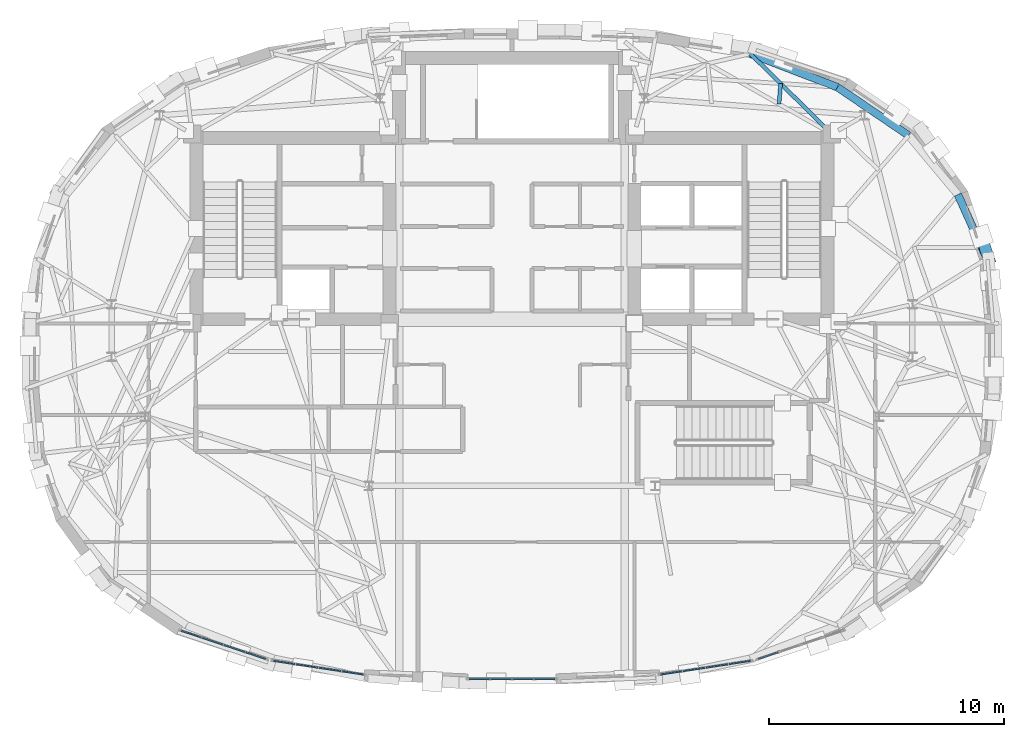
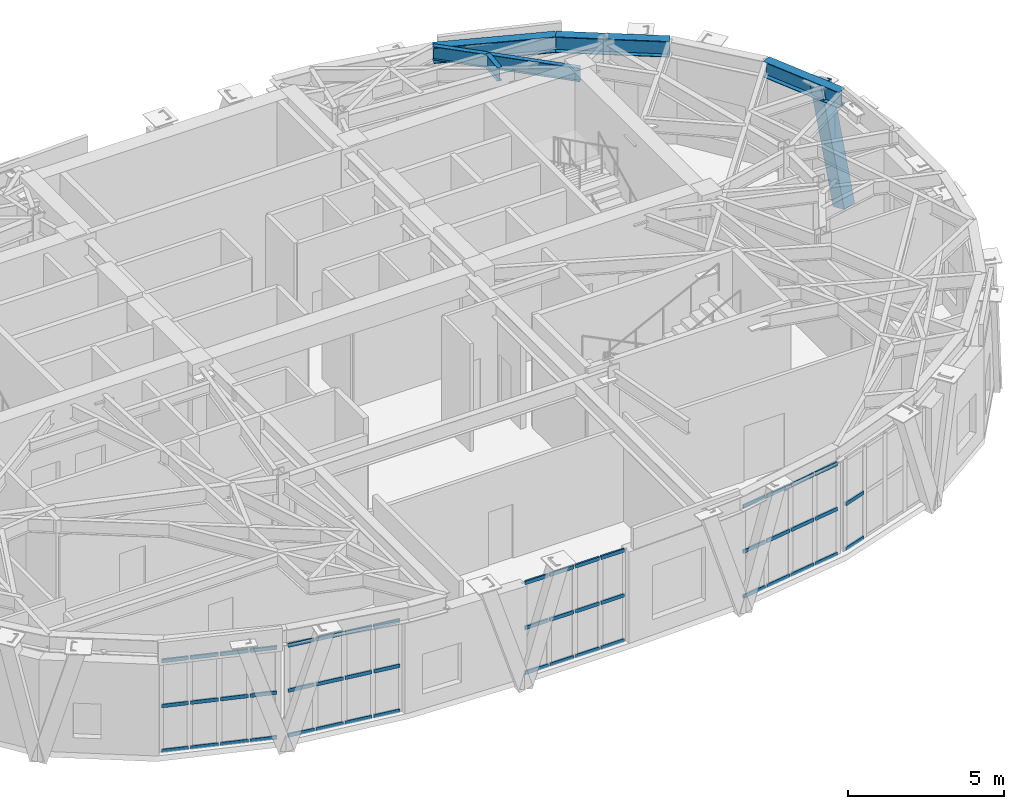
# One storey, part 7 of 16: 51 members, 5 beams, 5 elements without a shape of their own.
"""IFC4 building model written with IfcOpenShell, lengths in metres."""

from ifc_helpers import new_model, si_unit, direction, frame, origin, origin_2d, place, context, subcontext, project, spatial, rectangle, hollow_rectangle, i_section, extrude, material, layer, layer_set, material_profile, profile_set, type_object, element, aggregate, save


model = new_model("IFC4")

# Units and contexts
model_context = context("Model", 3, precision=1e-05, world=origin(), true_north=direction((0.0, 1.0)))
body_context = subcontext(model_context, "Body", "Model", "MODEL_VIEW")
ifc_project = project(units=[si_unit("LENGTHUNIT", "METRE"), si_unit("AREAUNIT", "SQUARE_METRE"), si_unit("VOLUMEUNIT", "CUBIC_METRE"), si_unit("PLANEANGLEUNIT", "RADIAN"), si_unit("MASSUNIT", "GRAM", prefix="KILO")], contexts=[model_context])

# Site, building, storey
site_placement = place(None, origin())
site = spatial("IfcSite", under=ifc_project, at=site_placement, CompositionType="ELEMENT")
building_placement = place(site_placement, origin())
building = spatial("IfcBuilding", under=site, at=building_placement, Name="Keldmark Tower", CompositionType="ELEMENT")
storey_placement = place(building_placement, frame((0.0, 0.0, 264.800048828125)))
storey = spatial("IfcBuildingStorey", under=building, at=storey_placement, Name="L75", CompositionType="ELEMENT", Elevation=264.800048828125)

# Curtain wall, members
ifc_material_1 = material(Name="Unitized Thermally Broken Aluminum and Triple Low-E Glazing", Category="aluminium")
ifc_layer = layer(ifc_material_1, 0.219970703125)
ifc_layer_set = layer_set([ifc_layer], Name="Unitized Thermally Broken Aluminum and Triple Low-E Glazing")
curtain_wall_type = type_object("IfcCurtainWallType", Name="Public Observation Lookout Curtain Wall System", PredefinedType="NOTDEFINED", material=ifc_layer_set)
curtain_wall_1_placement = place(storey_placement, origin())
curtain_wall_1 = element("IfcCurtainWall", 1, at=curtain_wall_1_placement, inside=storey, type_object=curtain_wall_type, Name="L75 Public Observation Lookout Curtain Wall System CW-L75-21", PredefinedType="NOTDEFINED")
ifc_material_2 = material(Name="Extruded Aluminum Alloy 6063-T6", Category="aluminium")
ifc_material_profile_1 = material_profile(ifc_material_2, rectangle(XDim=0.06005859375, YDim=0.139892578125, at=origin_2d()), Name="CWT60X140")
ifc_profile_set_1 = profile_set([ifc_material_profile_1], Name="Extruded Aluminum Alloy 6063-T6")
member_type_1 = type_object("IfcMemberType", Name="Curtain Wall Horizontal Transom 60x140", PredefinedType="USERDEFINED", material=ifc_profile_set_1)
member_1_placement = place(storey_placement, frame((-10.481201171875, -12.869384765625, 0.030029296875), z_axis=(-0.948461461966, 0.316892497806, 0.0), x_axis=(-0.316892497806, -0.948461461966, 0.0)))
member_1 = element("IfcMember", 2, at=member_1_placement, type_object=member_type_1, Name="CW transom 1.1", ObjectType="TRANSOM", PredefinedType="USERDEFINED", context=body_context, shape_type="SweptSolid", body=[
    extrude(rectangle(XDim=0.06005859375, YDim=0.139892578125, at=origin_2d()), origin(), (0.0, 0.0, 1.0), 0.88134765625),
])
member_2_placement = place(storey_placement, frame((-10.481201171875, -12.869384765625, 1.782958984375), z_axis=(-0.948461461966, 0.316892497806, 0.0), x_axis=(-0.316892497806, -0.948461461966, 0.0)))
member_2 = element("IfcMember", 3, at=member_2_placement, type_object=member_type_1, Name="CW transom 1.2", ObjectType="TRANSOM", PredefinedType="USERDEFINED", context=body_context, shape_type="SweptSolid", body=[
    extrude(rectangle(XDim=0.06005859375, YDim=0.139892578125, at=origin_2d()), origin(), (0.0, 0.0, 1.0), 0.88134765625),
])
member_3_placement = place(storey_placement, frame((-10.481201171875, -12.869384765625, 3.535888671875), z_axis=(-0.948461461966, 0.316892497806, 0.0), x_axis=(-0.316892497806, -0.948461461966, 0.0)))
member_3 = element("IfcMember", 4, at=member_3_placement, type_object=member_type_1, Name="CW transom 1.3", ObjectType="TRANSOM", PredefinedType="USERDEFINED", context=body_context, shape_type="SweptSolid", body=[
    extrude(rectangle(XDim=0.06005859375, YDim=0.139892578125, at=origin_2d()), origin(), (0.0, 0.0, 1.0), 0.88134765625),
])
member_4_placement = place(storey_placement, frame((-11.3740234375, -12.571044921875, 0.030029296875), z_axis=(-0.948522408943, 0.316710024681, 0.0), x_axis=(-0.316710024681, -0.948522408943, 0.0)))
member_4 = element("IfcMember", 5, at=member_4_placement, type_object=member_type_1, Name="CW transom 2.1", ObjectType="TRANSOM", PredefinedType="USERDEFINED", context=body_context, shape_type="SweptSolid", body=[
    extrude(rectangle(XDim=0.06005859375, YDim=0.139892578125, at=origin_2d()), origin(), (0.0, 0.0, 1.0), 0.9111328125),
])
member_5_placement = place(storey_placement, frame((-11.3740234375, -12.571044921875, 1.782958984375), z_axis=(-0.948522408943, 0.316710024681, 0.0), x_axis=(-0.316710024681, -0.948522408943, 0.0)))
member_5 = element("IfcMember", 6, at=member_5_placement, type_object=member_type_1, Name="CW transom 2.2", ObjectType="TRANSOM", PredefinedType="USERDEFINED", context=body_context, shape_type="SweptSolid", body=[
    extrude(rectangle(XDim=0.06005859375, YDim=0.139892578125, at=origin_2d()), origin(), (0.0, 0.0, 1.0), 0.9111328125),
])
member_6_placement = place(storey_placement, frame((-11.3740234375, -12.571044921875, 3.535888671875), z_axis=(-0.948522408943, 0.316710024681, 0.0), x_axis=(-0.316710024681, -0.948522408943, 0.0)))
member_6 = element("IfcMember", 7, at=member_6_placement, type_object=member_type_1, Name="CW transom 2.3", ObjectType="TRANSOM", PredefinedType="USERDEFINED", context=body_context, shape_type="SweptSolid", body=[
    extrude(rectangle(XDim=0.06005859375, YDim=0.139892578125, at=origin_2d()), origin(), (0.0, 0.0, 1.0), 0.9111328125),
])
member_7_placement = place(storey_placement, frame((-12.295166015625, -12.263427734375, 0.030029296875), z_axis=(-0.948522408943, 0.316710024681, 0.0), x_axis=(-0.316710024681, -0.948522408943, 0.0)))
member_7 = element("IfcMember", 8, at=member_7_placement, type_object=member_type_1, Name="CW transom 3.1", ObjectType="TRANSOM", PredefinedType="USERDEFINED", context=body_context, shape_type="SweptSolid", body=[
    extrude(rectangle(XDim=0.06005859375, YDim=0.139892578125, at=origin_2d()), origin(), (0.0, 0.0, 1.0), 0.9111328125),
])
member_8_placement = place(storey_placement, frame((-12.295166015625, -12.263427734375, 1.782958984375), z_axis=(-0.948522408943, 0.316710024681, 0.0), x_axis=(-0.316710024681, -0.948522408943, 0.0)))
member_8 = element("IfcMember", 9, at=member_8_placement, type_object=member_type_1, Name="CW transom 3.2", ObjectType="TRANSOM", PredefinedType="USERDEFINED", context=body_context, shape_type="SweptSolid", body=[
    extrude(rectangle(XDim=0.06005859375, YDim=0.139892578125, at=origin_2d()), origin(), (0.0, 0.0, 1.0), 0.9111328125),
])
member_9_placement = place(storey_placement, frame((-12.295166015625, -12.263427734375, 3.535888671875), z_axis=(-0.948522408943, 0.316710024681, 0.0), x_axis=(-0.316710024681, -0.948522408943, 0.0)))
member_9 = element("IfcMember", 10, at=member_9_placement, type_object=member_type_1, Name="CW transom 3.3", ObjectType="TRANSOM", PredefinedType="USERDEFINED", context=body_context, shape_type="SweptSolid", body=[
    extrude(rectangle(XDim=0.06005859375, YDim=0.139892578125, at=origin_2d()), origin(), (0.0, 0.0, 1.0), 0.9111328125),
])
member_10_placement = place(storey_placement, frame((-13.21630859375, -11.955810546875, 0.030029296875), z_axis=(-0.948516906298, 0.316726504206, 0.0), x_axis=(-0.316726504206, -0.948516906298, 0.0)))
member_10 = element("IfcMember", 11, at=member_10_placement, type_object=member_type_1, Name="CW transom 4.1", ObjectType="TRANSOM", PredefinedType="USERDEFINED", context=body_context, shape_type="SweptSolid", body=[
    extrude(rectangle(XDim=0.06005859375, YDim=0.139892578125, at=origin_2d()), origin(), (0.0, 0.0, 1.0), 0.881103515625),
])
member_11_placement = place(storey_placement, frame((-13.21630859375, -11.955810546875, 1.782958984375), z_axis=(-0.948516906298, 0.316726504206, 0.0), x_axis=(-0.316726504206, -0.948516906298, 0.0)))
member_11 = element("IfcMember", 12, at=member_11_placement, type_object=member_type_1, Name="CW transom 4.2", ObjectType="TRANSOM", PredefinedType="USERDEFINED", context=body_context, shape_type="SweptSolid", body=[
    extrude(rectangle(XDim=0.06005859375, YDim=0.139892578125, at=origin_2d()), origin(), (0.0, 0.0, 1.0), 0.881103515625),
])
member_12_placement = place(storey_placement, frame((-13.21630859375, -11.955810546875, 3.535888671875), z_axis=(-0.948516906298, 0.316726504206, 0.0), x_axis=(-0.316726504206, -0.948516906298, 0.0)))
member_12 = element("IfcMember", 13, at=member_12_placement, type_object=member_type_1, Name="CW transom 4.3", ObjectType="TRANSOM", PredefinedType="USERDEFINED", context=body_context, shape_type="SweptSolid", body=[
    extrude(rectangle(XDim=0.06005859375, YDim=0.139892578125, at=origin_2d()), origin(), (0.0, 0.0, 1.0), 0.881103515625),
])
aggregate(curtain_wall_1, [member_1, member_2, member_3, member_4, member_5, member_6, member_7, member_8, member_9, member_10, member_11, member_12])

curtain_wall_2_placement = place(storey_placement, origin())
curtain_wall_2 = element("IfcCurtainWall", 14, at=curtain_wall_2_placement, inside=storey, type_object=curtain_wall_type, Name="L75 Public Observation Lookout Curtain Wall System CW-L75-22", PredefinedType="NOTDEFINED")
member_13_placement = place(storey_placement, frame((-6.330322265625, -13.53173828125, 0.030029296875), z_axis=(-0.988624094096, 0.150407448526, 0.0), x_axis=(-0.150407448526, -0.988624094096, 0.0)))
member_13 = element("IfcMember", 15, at=member_13_placement, type_object=member_type_1, Name="CW transom 1.1", ObjectType="TRANSOM", PredefinedType="USERDEFINED", context=body_context, shape_type="SweptSolid", body=[
    extrude(rectangle(XDim=0.06005859375, YDim=0.139892578125, at=origin_2d()), origin(), (0.0, 0.0, 1.0), 0.90087890625),
])
member_14_placement = place(storey_placement, frame((-6.330322265625, -13.53173828125, 1.782958984375), z_axis=(-0.988624094096, 0.150407448526, 0.0), x_axis=(-0.150407448526, -0.988624094096, 0.0)))
member_14 = element("IfcMember", 16, at=member_14_placement, type_object=member_type_1, Name="CW transom 1.2", ObjectType="TRANSOM", PredefinedType="USERDEFINED", context=body_context, shape_type="SweptSolid", body=[
    extrude(rectangle(XDim=0.06005859375, YDim=0.139892578125, at=origin_2d()), origin(), (0.0, 0.0, 1.0), 0.90087890625),
])
member_15_placement = place(storey_placement, frame((-6.330322265625, -13.53173828125, 3.535888671875), z_axis=(-0.988624094096, 0.150407448526, 0.0), x_axis=(-0.150407448526, -0.988624094096, 0.0)))
member_15 = element("IfcMember", 17, at=member_15_placement, type_object=member_type_1, Name="CW transom 1.3", ObjectType="TRANSOM", PredefinedType="USERDEFINED", context=body_context, shape_type="SweptSolid", body=[
    extrude(rectangle(XDim=0.06005859375, YDim=0.139892578125, at=origin_2d()), origin(), (0.0, 0.0, 1.0), 0.90087890625),
])
member_16_placement = place(storey_placement, frame((-7.2802734375, -13.38720703125, 0.030029296875), z_axis=(-0.988645953746, 0.150263695357, 0.0), x_axis=(-0.150263695357, -0.988645953746, 0.0)))
member_16 = element("IfcMember", 18, at=member_16_placement, type_object=member_type_1, Name="CW transom 2.1", ObjectType="TRANSOM", PredefinedType="USERDEFINED", context=body_context, shape_type="SweptSolid", body=[
    extrude(rectangle(XDim=0.06005859375, YDim=0.139892578125, at=origin_2d()), origin(), (0.0, 0.0, 1.0), 0.930908203125),
])
member_17_placement = place(storey_placement, frame((-7.2802734375, -13.38720703125, 1.782958984375), z_axis=(-0.988645953746, 0.150263695357, 0.0), x_axis=(-0.150263695357, -0.988645953746, 0.0)))
member_17 = element("IfcMember", 19, at=member_17_placement, type_object=member_type_1, Name="CW transom 2.2", ObjectType="TRANSOM", PredefinedType="USERDEFINED", context=body_context, shape_type="SweptSolid", body=[
    extrude(rectangle(XDim=0.06005859375, YDim=0.139892578125, at=origin_2d()), origin(), (0.0, 0.0, 1.0), 0.930908203125),
])
member_18_placement = place(storey_placement, frame((-7.2802734375, -13.38720703125, 3.535888671875), z_axis=(-0.988645953746, 0.150263695357, 0.0), x_axis=(-0.150263695357, -0.988645953746, 0.0)))
member_18 = element("IfcMember", 20, at=member_18_placement, type_object=member_type_1, Name="CW transom 2.3", ObjectType="TRANSOM", PredefinedType="USERDEFINED", context=body_context, shape_type="SweptSolid", body=[
    extrude(rectangle(XDim=0.06005859375, YDim=0.139892578125, at=origin_2d()), origin(), (0.0, 0.0, 1.0), 0.930908203125),
])
member_19_placement = place(storey_placement, frame((-8.260009765625, -13.23828125, 0.030029296875), z_axis=(-0.988645953746, 0.150263695357, 0.0), x_axis=(-0.150263695357, -0.988645953746, 0.0)))
member_19 = element("IfcMember", 21, at=member_19_placement, type_object=member_type_1, Name="CW transom 3.1", ObjectType="TRANSOM", PredefinedType="USERDEFINED", context=body_context, shape_type="SweptSolid", body=[
    extrude(rectangle(XDim=0.06005859375, YDim=0.139892578125, at=origin_2d()), origin(), (0.0, 0.0, 1.0), 0.930908203125),
])
member_20_placement = place(storey_placement, frame((-8.260009765625, -13.23828125, 1.782958984375), z_axis=(-0.988645953746, 0.150263695357, 0.0), x_axis=(-0.150263695357, -0.988645953746, 0.0)))
member_20 = element("IfcMember", 22, at=member_20_placement, type_object=member_type_1, Name="CW transom 3.2", ObjectType="TRANSOM", PredefinedType="USERDEFINED", context=body_context, shape_type="SweptSolid", body=[
    extrude(rectangle(XDim=0.06005859375, YDim=0.139892578125, at=origin_2d()), origin(), (0.0, 0.0, 1.0), 0.930908203125),
])
member_21_placement = place(storey_placement, frame((-8.260009765625, -13.23828125, 3.535888671875), z_axis=(-0.988645953746, 0.150263695357, 0.0), x_axis=(-0.150263695357, -0.988645953746, 0.0)))
member_21 = element("IfcMember", 23, at=member_21_placement, type_object=member_type_1, Name="CW transom 3.3", ObjectType="TRANSOM", PredefinedType="USERDEFINED", context=body_context, shape_type="SweptSolid", body=[
    extrude(rectangle(XDim=0.06005859375, YDim=0.139892578125, at=origin_2d()), origin(), (0.0, 0.0, 1.0), 0.930908203125),
])
member_22_placement = place(storey_placement, frame((-9.23974609375, -13.08935546875, 0.030029296875), z_axis=(-0.988624094096, 0.150407448526, 0.0), x_axis=(-0.150407448526, -0.988624094096, 0.0)))
member_22 = element("IfcMember", 24, at=member_22_placement, type_object=member_type_1, Name="CW transom 4.1", ObjectType="TRANSOM", PredefinedType="USERDEFINED", context=body_context, shape_type="SweptSolid", body=[
    extrude(rectangle(XDim=0.06005859375, YDim=0.139892578125, at=origin_2d()), origin(), (0.0, 0.0, 1.0), 0.90087890625),
])
member_23_placement = place(storey_placement, frame((-9.23974609375, -13.08935546875, 1.782958984375), z_axis=(-0.988624094096, 0.150407448526, 0.0), x_axis=(-0.150407448526, -0.988624094096, 0.0)))
member_23 = element("IfcMember", 25, at=member_23_placement, type_object=member_type_1, Name="CW transom 4.2", ObjectType="TRANSOM", PredefinedType="USERDEFINED", context=body_context, shape_type="SweptSolid", body=[
    extrude(rectangle(XDim=0.06005859375, YDim=0.139892578125, at=origin_2d()), origin(), (0.0, 0.0, 1.0), 0.90087890625),
])
member_24_placement = place(storey_placement, frame((-9.23974609375, -13.08935546875, 3.535888671875), z_axis=(-0.988624094096, 0.150407448526, 0.0), x_axis=(-0.150407448526, -0.988624094096, 0.0)))
member_24 = element("IfcMember", 26, at=member_24_placement, type_object=member_type_1, Name="CW transom 4.3", ObjectType="TRANSOM", PredefinedType="USERDEFINED", context=body_context, shape_type="SweptSolid", body=[
    extrude(rectangle(XDim=0.06005859375, YDim=0.139892578125, at=origin_2d()), origin(), (0.0, 0.0, 1.0), 0.90087890625),
])
aggregate(curtain_wall_2, [member_13, member_14, member_15, member_16, member_17, member_18, member_19, member_20, member_21, member_22, member_23, member_24])

curtain_wall_3_placement = place(storey_placement, origin())
curtain_wall_3 = element("IfcCurtainWall", 27, at=curtain_wall_3_placement, inside=storey, type_object=curtain_wall_type, Name="L75 Public Observation Lookout Curtain Wall System CW-L75-24", PredefinedType="NOTDEFINED")
member_25_placement = place(storey_placement, frame((1.8251953125, -13.718994140625, 0.030029296875), z_axis=(-1.0, 0.0, 0.0), x_axis=(0.0, -1.0, 0.0)))
member_25 = element("IfcMember", 28, at=member_25_placement, type_object=member_type_1, Name="CW transom 1.1", ObjectType="TRANSOM", PredefinedType="USERDEFINED", context=body_context, shape_type="SweptSolid", body=[
    extrude(rectangle(XDim=0.06005859375, YDim=0.139892578125, at=origin_2d()), origin(), (0.0, 0.0, 1.0), 0.8525390625),
])
member_26_placement = place(storey_placement, frame((1.8251953125, -13.718994140625, 1.782958984375), z_axis=(-1.0, 0.0, 0.0), x_axis=(0.0, -1.0, 0.0)))
member_26 = element("IfcMember", 29, at=member_26_placement, type_object=member_type_1, Name="CW transom 1.2", ObjectType="TRANSOM", PredefinedType="USERDEFINED", context=body_context, shape_type="SweptSolid", body=[
    extrude(rectangle(XDim=0.06005859375, YDim=0.139892578125, at=origin_2d()), origin(), (0.0, 0.0, 1.0), 0.8525390625),
])
member_27_placement = place(storey_placement, frame((1.8251953125, -13.718994140625, 3.535888671875), z_axis=(-1.0, 0.0, 0.0), x_axis=(0.0, -1.0, 0.0)))
member_27 = element("IfcMember", 30, at=member_27_placement, type_object=member_type_1, Name="CW transom 1.3", ObjectType="TRANSOM", PredefinedType="USERDEFINED", context=body_context, shape_type="SweptSolid", body=[
    extrude(rectangle(XDim=0.06005859375, YDim=0.139892578125, at=origin_2d()), origin(), (0.0, 0.0, 1.0), 0.8525390625),
])
member_28_placement = place(storey_placement, frame((0.91259765625, -13.718994140625, 0.030029296875), z_axis=(-1.0, 0.0, 0.0), x_axis=(0.0, -1.0, 0.0)))
member_28 = element("IfcMember", 31, at=member_28_placement, type_object=member_type_1, Name="CW transom 2.1", ObjectType="TRANSOM", PredefinedType="USERDEFINED", context=body_context, shape_type="SweptSolid", body=[
    extrude(rectangle(XDim=0.06005859375, YDim=0.139892578125, at=origin_2d()), origin(), (0.0, 0.0, 1.0), 0.882568359375),
])
member_29_placement = place(storey_placement, frame((0.91259765625, -13.718994140625, 1.782958984375), z_axis=(-1.0, 0.0, 0.0), x_axis=(0.0, -1.0, 0.0)))
member_29 = element("IfcMember", 32, at=member_29_placement, type_object=member_type_1, Name="CW transom 2.2", ObjectType="TRANSOM", PredefinedType="USERDEFINED", context=body_context, shape_type="SweptSolid", body=[
    extrude(rectangle(XDim=0.06005859375, YDim=0.139892578125, at=origin_2d()), origin(), (0.0, 0.0, 1.0), 0.882568359375),
])
member_30_placement = place(storey_placement, frame((0.91259765625, -13.718994140625, 3.535888671875), z_axis=(-1.0, 0.0, 0.0), x_axis=(0.0, -1.0, 0.0)))
member_30 = element("IfcMember", 33, at=member_30_placement, type_object=member_type_1, Name="CW transom 2.3", ObjectType="TRANSOM", PredefinedType="USERDEFINED", context=body_context, shape_type="SweptSolid", body=[
    extrude(rectangle(XDim=0.06005859375, YDim=0.139892578125, at=origin_2d()), origin(), (0.0, 0.0, 1.0), 0.882568359375),
])
member_31_placement = place(storey_placement, frame((-0.030029296875, -13.718994140625, 0.030029296875), z_axis=(-1.0, 0.0, 0.0), x_axis=(0.0, -1.0, 0.0)))
member_31 = element("IfcMember", 34, at=member_31_placement, type_object=member_type_1, Name="CW transom 3.1", ObjectType="TRANSOM", PredefinedType="USERDEFINED", context=body_context, shape_type="SweptSolid", body=[
    extrude(rectangle(XDim=0.06005859375, YDim=0.139892578125, at=origin_2d()), origin(), (0.0, 0.0, 1.0), 0.882568359375),
])
member_32_placement = place(storey_placement, frame((-0.030029296875, -13.718994140625, 1.782958984375), z_axis=(-1.0, 0.0, 0.0), x_axis=(0.0, -1.0, 0.0)))
member_32 = element("IfcMember", 35, at=member_32_placement, type_object=member_type_1, Name="CW transom 3.2", ObjectType="TRANSOM", PredefinedType="USERDEFINED", context=body_context, shape_type="SweptSolid", body=[
    extrude(rectangle(XDim=0.06005859375, YDim=0.139892578125, at=origin_2d()), origin(), (0.0, 0.0, 1.0), 0.882568359375),
])
member_33_placement = place(storey_placement, frame((-0.030029296875, -13.718994140625, 3.535888671875), z_axis=(-1.0, 0.0, 0.0), x_axis=(0.0, -1.0, 0.0)))
member_33 = element("IfcMember", 36, at=member_33_placement, type_object=member_type_1, Name="CW transom 3.3", ObjectType="TRANSOM", PredefinedType="USERDEFINED", context=body_context, shape_type="SweptSolid", body=[
    extrude(rectangle(XDim=0.06005859375, YDim=0.139892578125, at=origin_2d()), origin(), (0.0, 0.0, 1.0), 0.882568359375),
])
member_34_placement = place(storey_placement, frame((-0.97265625, -13.718994140625, 0.030029296875), z_axis=(-1.0, 0.0, 0.0), x_axis=(0.0, -1.0, 0.0)))
member_34 = element("IfcMember", 37, at=member_34_placement, type_object=member_type_1, Name="CW transom 4.1", ObjectType="TRANSOM", PredefinedType="USERDEFINED", context=body_context, shape_type="SweptSolid", body=[
    extrude(rectangle(XDim=0.06005859375, YDim=0.139892578125, at=origin_2d()), origin(), (0.0, 0.0, 1.0), 0.8525390625),
])
member_35_placement = place(storey_placement, frame((-0.97265625, -13.718994140625, 1.782958984375), z_axis=(-1.0, 0.0, 0.0), x_axis=(0.0, -1.0, 0.0)))
member_35 = element("IfcMember", 38, at=member_35_placement, type_object=member_type_1, Name="CW transom 4.2", ObjectType="TRANSOM", PredefinedType="USERDEFINED", context=body_context, shape_type="SweptSolid", body=[
    extrude(rectangle(XDim=0.06005859375, YDim=0.139892578125, at=origin_2d()), origin(), (0.0, 0.0, 1.0), 0.8525390625),
])
member_36_placement = place(storey_placement, frame((-0.97265625, -13.718994140625, 3.535888671875), z_axis=(-1.0, 0.0, 0.0), x_axis=(0.0, -1.0, 0.0)))
member_36 = element("IfcMember", 39, at=member_36_placement, type_object=member_type_1, Name="CW transom 4.3", ObjectType="TRANSOM", PredefinedType="USERDEFINED", context=body_context, shape_type="SweptSolid", body=[
    extrude(rectangle(XDim=0.06005859375, YDim=0.139892578125, at=origin_2d()), origin(), (0.0, 0.0, 1.0), 0.8525390625),
])
aggregate(curtain_wall_3, [member_25, member_26, member_27, member_28, member_29, member_30, member_31, member_32, member_33, member_34, member_35, member_36])

curtain_wall_4_placement = place(storey_placement, origin())
curtain_wall_4 = element("IfcCurtainWall", 40, at=curtain_wall_4_placement, inside=storey, type_object=curtain_wall_type, Name="L75 Public Observation Lookout Curtain Wall System CW-L75-26", PredefinedType="NOTDEFINED")
member_37_placement = place(storey_placement, frame((10.13037109375, -12.953857421875, 0.030029296875), z_axis=(-0.988624094096, -0.150407448526, 0.0), x_axis=(0.150407448526, -0.988624094096, 0.0)))
member_37 = element("IfcMember", 41, at=member_37_placement, type_object=member_type_1, Name="CW transom 1.1", ObjectType="TRANSOM", PredefinedType="USERDEFINED", context=body_context, shape_type="SweptSolid", body=[
    extrude(rectangle(XDim=0.06005859375, YDim=0.139892578125, at=origin_2d()), origin(), (0.0, 0.0, 1.0), 0.90087890625),
])
member_38_placement = place(storey_placement, frame((10.13037109375, -12.953857421875, 1.782958984375), z_axis=(-0.988624094096, -0.150407448526, 0.0), x_axis=(0.150407448526, -0.988624094096, 0.0)))
member_38 = element("IfcMember", 42, at=member_38_placement, type_object=member_type_1, Name="CW transom 1.2", ObjectType="TRANSOM", PredefinedType="USERDEFINED", context=body_context, shape_type="SweptSolid", body=[
    extrude(rectangle(XDim=0.06005859375, YDim=0.139892578125, at=origin_2d()), origin(), (0.0, 0.0, 1.0), 0.90087890625),
])
member_39_placement = place(storey_placement, frame((10.13037109375, -12.953857421875, 3.535888671875), z_axis=(-0.988624094096, -0.150407448526, 0.0), x_axis=(0.150407448526, -0.988624094096, 0.0)))
member_39 = element("IfcMember", 43, at=member_39_placement, type_object=member_type_1, Name="CW transom 1.3", ObjectType="TRANSOM", PredefinedType="USERDEFINED", context=body_context, shape_type="SweptSolid", body=[
    extrude(rectangle(XDim=0.06005859375, YDim=0.139892578125, at=origin_2d()), origin(), (0.0, 0.0, 1.0), 0.90087890625),
])
member_40_placement = place(storey_placement, frame((9.180419921875, -13.098388671875, 0.030029296875), z_axis=(-0.988645953746, -0.150263695357, 0.0), x_axis=(0.150263695357, -0.988645953746, 0.0)))
member_40 = element("IfcMember", 44, at=member_40_placement, type_object=member_type_1, Name="CW transom 2.1", ObjectType="TRANSOM", PredefinedType="USERDEFINED", context=body_context, shape_type="SweptSolid", body=[
    extrude(rectangle(XDim=0.06005859375, YDim=0.139892578125, at=origin_2d()), origin(), (0.0, 0.0, 1.0), 0.930908203125),
])
member_41_placement = place(storey_placement, frame((9.180419921875, -13.098388671875, 1.782958984375), z_axis=(-0.988645953746, -0.150263695357, 0.0), x_axis=(0.150263695357, -0.988645953746, 0.0)))
member_41 = element("IfcMember", 45, at=member_41_placement, type_object=member_type_1, Name="CW transom 2.2", ObjectType="TRANSOM", PredefinedType="USERDEFINED", context=body_context, shape_type="SweptSolid", body=[
    extrude(rectangle(XDim=0.06005859375, YDim=0.139892578125, at=origin_2d()), origin(), (0.0, 0.0, 1.0), 0.930908203125),
])
member_42_placement = place(storey_placement, frame((9.180419921875, -13.098388671875, 3.535888671875), z_axis=(-0.988645953746, -0.150263695357, 0.0), x_axis=(0.150263695357, -0.988645953746, 0.0)))
member_42 = element("IfcMember", 46, at=member_42_placement, type_object=member_type_1, Name="CW transom 2.3", ObjectType="TRANSOM", PredefinedType="USERDEFINED", context=body_context, shape_type="SweptSolid", body=[
    extrude(rectangle(XDim=0.06005859375, YDim=0.139892578125, at=origin_2d()), origin(), (0.0, 0.0, 1.0), 0.930908203125),
])
member_43_placement = place(storey_placement, frame((8.20068359375, -13.247314453125, 0.030029296875), z_axis=(-0.988645953746, -0.150263695357, 0.0), x_axis=(0.150263695357, -0.988645953746, 0.0)))
member_43 = element("IfcMember", 47, at=member_43_placement, type_object=member_type_1, Name="CW transom 3.1", ObjectType="TRANSOM", PredefinedType="USERDEFINED", context=body_context, shape_type="SweptSolid", body=[
    extrude(rectangle(XDim=0.06005859375, YDim=0.139892578125, at=origin_2d()), origin(), (0.0, 0.0, 1.0), 0.930908203125),
])
member_44_placement = place(storey_placement, frame((8.20068359375, -13.247314453125, 1.782958984375), z_axis=(-0.988645953746, -0.150263695357, 0.0), x_axis=(0.150263695357, -0.988645953746, 0.0)))
member_44 = element("IfcMember", 48, at=member_44_placement, type_object=member_type_1, Name="CW transom 3.2", ObjectType="TRANSOM", PredefinedType="USERDEFINED", context=body_context, shape_type="SweptSolid", body=[
    extrude(rectangle(XDim=0.06005859375, YDim=0.139892578125, at=origin_2d()), origin(), (0.0, 0.0, 1.0), 0.930908203125),
])
member_45_placement = place(storey_placement, frame((8.20068359375, -13.247314453125, 3.535888671875), z_axis=(-0.988645953746, -0.150263695357, 0.0), x_axis=(0.150263695357, -0.988645953746, 0.0)))
member_45 = element("IfcMember", 49, at=member_45_placement, type_object=member_type_1, Name="CW transom 3.3", ObjectType="TRANSOM", PredefinedType="USERDEFINED", context=body_context, shape_type="SweptSolid", body=[
    extrude(rectangle(XDim=0.06005859375, YDim=0.139892578125, at=origin_2d()), origin(), (0.0, 0.0, 1.0), 0.930908203125),
])
member_46_placement = place(storey_placement, frame((7.220947265625, -13.396240234375, 0.030029296875), z_axis=(-0.988624094096, -0.150407448526, 0.0), x_axis=(0.150407448526, -0.988624094096, 0.0)))
member_46 = element("IfcMember", 50, at=member_46_placement, type_object=member_type_1, Name="CW transom 4.1", ObjectType="TRANSOM", PredefinedType="USERDEFINED", context=body_context, shape_type="SweptSolid", body=[
    extrude(rectangle(XDim=0.06005859375, YDim=0.139892578125, at=origin_2d()), origin(), (0.0, 0.0, 1.0), 0.90087890625),
])
member_47_placement = place(storey_placement, frame((7.220947265625, -13.396240234375, 1.782958984375), z_axis=(-0.988624094096, -0.150407448526, 0.0), x_axis=(0.150407448526, -0.988624094096, 0.0)))
member_47 = element("IfcMember", 51, at=member_47_placement, type_object=member_type_1, Name="CW transom 4.2", ObjectType="TRANSOM", PredefinedType="USERDEFINED", context=body_context, shape_type="SweptSolid", body=[
    extrude(rectangle(XDim=0.06005859375, YDim=0.139892578125, at=origin_2d()), origin(), (0.0, 0.0, 1.0), 0.90087890625),
])
member_48_placement = place(storey_placement, frame((7.220947265625, -13.396240234375, 3.535888671875), z_axis=(-0.988624094096, -0.150407448526, 0.0), x_axis=(0.150407448526, -0.988624094096, 0.0)))
member_48 = element("IfcMember", 52, at=member_48_placement, type_object=member_type_1, Name="CW transom 4.3", ObjectType="TRANSOM", PredefinedType="USERDEFINED", context=body_context, shape_type="SweptSolid", body=[
    extrude(rectangle(XDim=0.06005859375, YDim=0.139892578125, at=origin_2d()), origin(), (0.0, 0.0, 1.0), 0.90087890625),
])
aggregate(curtain_wall_4, [member_37, member_38, member_39, member_40, member_41, member_42, member_43, member_44, member_45, member_46, member_47, member_48])

curtain_wall_5_placement = place(storey_placement, origin())
curtain_wall_5 = element("IfcCurtainWall", 53, at=curtain_wall_5_placement, inside=storey, type_object=curtain_wall_type, Name="L75 Public Observation Lookout Curtain Wall System CW-L75-27", PredefinedType="NOTDEFINED")
member_49_placement = place(storey_placement, frame((11.317138671875, -12.590087890625, 0.030029296875), z_axis=(-0.948461461966, -0.316892497806, 0.0), x_axis=(0.316892497806, -0.948461461966, 0.0)))
member_49 = element("IfcMember", 54, at=member_49_placement, type_object=member_type_1, Name="CW transom 4.1", ObjectType="TRANSOM", PredefinedType="USERDEFINED", context=body_context, shape_type="SweptSolid", body=[
    extrude(rectangle(XDim=0.06005859375, YDim=0.139892578125, at=origin_2d()), origin(), (0.0, 0.0, 1.0), 0.88134765625),
])
member_50_placement = place(storey_placement, frame((11.317138671875, -12.590087890625, 1.782958984375), z_axis=(-0.948461461966, -0.316892497806, 0.0), x_axis=(0.316892497806, -0.948461461966, 0.0)))
member_50 = element("IfcMember", 55, at=member_50_placement, type_object=member_type_1, Name="CW transom 4.2", ObjectType="TRANSOM", PredefinedType="USERDEFINED", context=body_context, shape_type="SweptSolid", body=[
    extrude(rectangle(XDim=0.06005859375, YDim=0.139892578125, at=origin_2d()), origin(), (0.0, 0.0, 1.0), 0.88134765625),
])
aggregate(curtain_wall_5, [member_49, member_50])

# Member
ifc_material_3 = material(Name="Steel ASTM A572 Grade 50", Category="steel")
ifc_material_profile_2 = material_profile(ifc_material_3, hollow_rectangle(XDim=0.5, YDim=0.5, WallThickness=0.030029296875, at=origin_2d()), Name="BOX500X500X30")
ifc_profile_set_2 = profile_set([ifc_material_profile_2], Name="Steel ASTM A572 Grade 50")
member_type_2 = type_object("IfcMemberType", Name="Diagrid Upper Brace BOX500X500X30", PredefinedType="BRACE", material=ifc_profile_set_2)
member_51_placement = place(storey_placement, frame((20.26806640625, 4.16259765625, -0.300048828125), z_axis=(-0.069835665886, 0.211028708665, 0.974981981315), x_axis=(-0.949365654969, -0.314173285252, 0.0)))
element("IfcMember", 56, at=member_51_placement, inside=storey, type_object=member_type_2, Name="L75 Perimeter Diagrid Brace 01B", PredefinedType="BRACE", context=body_context, shape_type="SweptSolid", body=[
    extrude(hollow_rectangle(XDim=0.5, YDim=0.5, WallThickness=0.030029296875, at=origin_2d()), origin(), (0.0, 0.0, 1.0), 4.4921875),
])

# Beams
ifc_material_4 = material(Name="Steel ASTM A992 Grade 50", Category="steel")
ifc_material_profile_3 = material_profile(ifc_material_4, i_section(OverallWidth=0.166015625, OverallDepth=0.529052734375, WebThickness=0.009765625, FlangeThickness=0.013671875, at=origin_2d()), Name="W21X50")
ifc_profile_set_3 = profile_set([ifc_material_profile_3], Name="Steel ASTM A992 Grade 50")
beam_type_1 = type_object("IfcBeamType", Name="Radial Tie Girder W21X50", PredefinedType="BEAM", material=ifc_profile_set_3)
beam_1_placement = place(storey_placement, frame((13.60009765625, 9.449951171875, 3.935546875), z_axis=(-0.712182978554, 0.70199387822, 0.0), x_axis=(-0.70199387822, -0.712182978554, 0.0)))
element("IfcBeam", 57, at=beam_1_placement, inside=storey, type_object=beam_type_1, Name="L75 Straddling Support Chord CRT-E03RB", PredefinedType="BEAM", context=body_context, shape_type="SweptSolid", body=[
    extrude(i_section(OverallWidth=0.166015625, OverallDepth=0.529052734375, WebThickness=0.009765625, FlangeThickness=0.013671875, at=origin_2d()), origin(), (0.0, 0.0, 1.0), 4.864013671875),
])
beam_2_placement = place(storey_placement, frame((11.357421875, 10.72412109375, 3.935546875), z_axis=(0.071860650053, 0.997414681551, 0.0), x_axis=(-0.997414681551, 0.071860650053, 0.0)))
element("IfcBeam", 58, at=beam_2_placement, inside=storey, type_object=beam_type_1, Name="L75 Framing Pin Header PH-012", PredefinedType="BEAM", context=body_context, shape_type="SweptSolid", body=[
    extrude(i_section(OverallWidth=0.166015625, OverallDepth=0.529052734375, WebThickness=0.009765625, FlangeThickness=0.013671875, at=origin_2d()), origin(), (0.0, 0.0, 1.0), 0.87646484375),
])
ifc_material_5 = material(Name="Steel ASTM A992 Grade 50", Category="steel")
ifc_material_profile_4 = material_profile(ifc_material_5, i_section(OverallWidth=0.326904296875, OverallDepth=0.6220703125, WebThickness=0.015380859375, FlangeThickness=0.0244140625, at=origin_2d()), Name="W24X131")
ifc_profile_set_4 = profile_set([ifc_material_profile_4], Name="Steel ASTM A992 Grade 50")
beam_type_2 = type_object("IfcBeamType", Name="Spandrel Ring Beam W24X131", PredefinedType="SPANDREL", material=ifc_profile_set_4)
beam_3_placement = place(storey_placement, frame((10.135986328125, 12.864501953125, 3.888916015625), z_axis=(0.933508802276, -0.358554481317, 0.0), x_axis=(0.358554481317, 0.933508802276, 0.0)))
element("IfcBeam", 59, at=beam_3_placement, inside=storey, type_object=beam_type_2, Name="L75 Crown Spandrel Ring Beam CRB-E02", PredefinedType="SPANDREL", context=body_context, shape_type="SweptSolid", body=[
    extrude(i_section(OverallWidth=0.326904296875, OverallDepth=0.6220703125, WebThickness=0.015380859375, FlangeThickness=0.0244140625, at=origin_2d()), origin(), (0.0, 0.0, 1.0), 3.968994140625),
])
beam_4_placement = place(storey_placement, frame((13.841064453125, 11.44140625, 3.888916015625), z_axis=(0.827573313879, -0.561357649058, 0.0), x_axis=(0.561357649058, 0.827573313879, 0.0)))
element("IfcBeam", 60, at=beam_4_placement, inside=storey, type_object=beam_type_2, Name="L75 Crown Spandrel Ring Beam CRB-E03", PredefinedType="SPANDREL", context=body_context, shape_type="SweptSolid", body=[
    extrude(i_section(OverallWidth=0.326904296875, OverallDepth=0.6220703125, WebThickness=0.015380859375, FlangeThickness=0.0244140625, at=origin_2d()), origin(), (0.0, 0.0, 1.0), 3.654541015625),
])
beam_5_placement = place(storey_placement, frame((18.962890625, 6.876220703125, 3.888916015625), z_axis=(0.410966493749, -0.91165044892, 0.0), x_axis=(0.91165044892, 0.410966493749, 0.0)))
element("IfcBeam", 61, at=beam_5_placement, inside=storey, type_object=beam_type_2, Name="L75 Crown Spandrel Ring Beam CRB-E05", PredefinedType="SPANDREL", context=body_context, shape_type="SweptSolid", body=[
    extrude(i_section(OverallWidth=0.326904296875, OverallDepth=0.6220703125, WebThickness=0.015380859375, FlangeThickness=0.0244140625, at=origin_2d()), origin(), (0.0, 0.0, 1.0), 2.985107421875),
])

save(model, "model.ifc")
